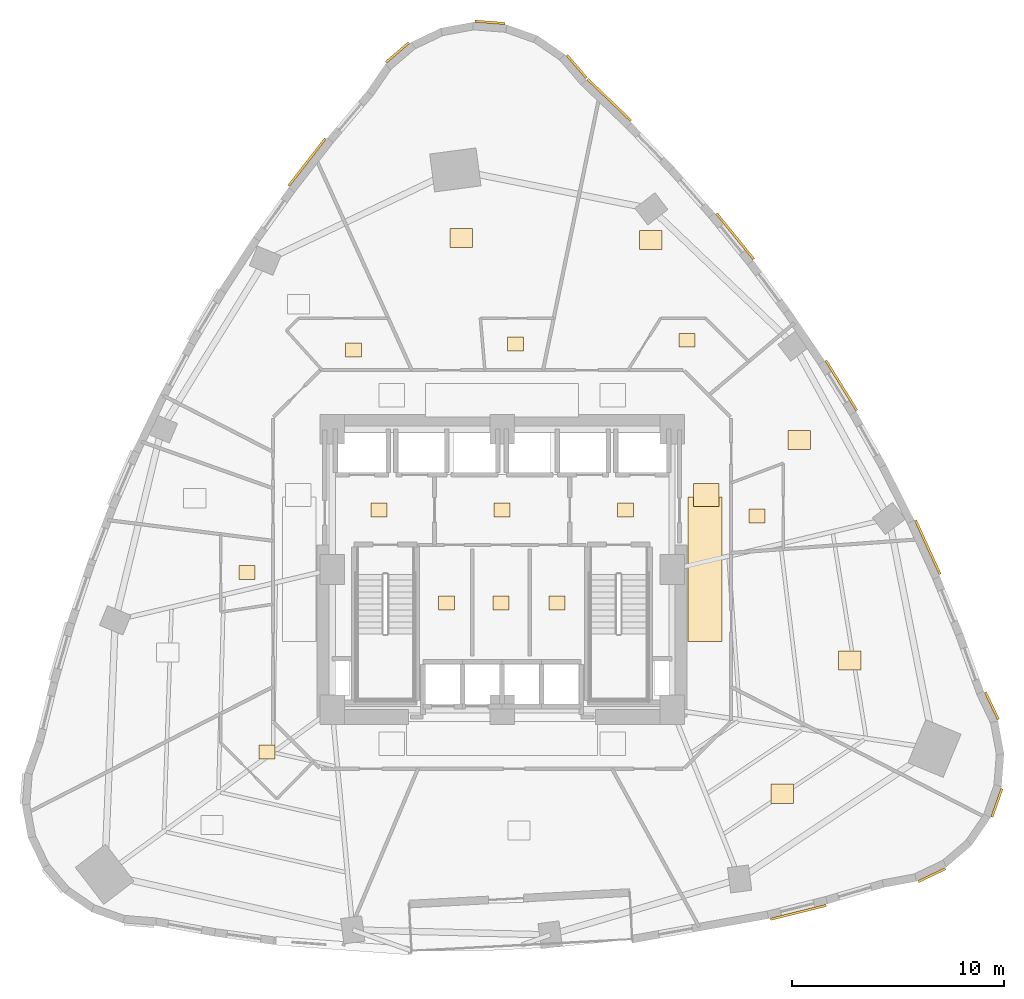
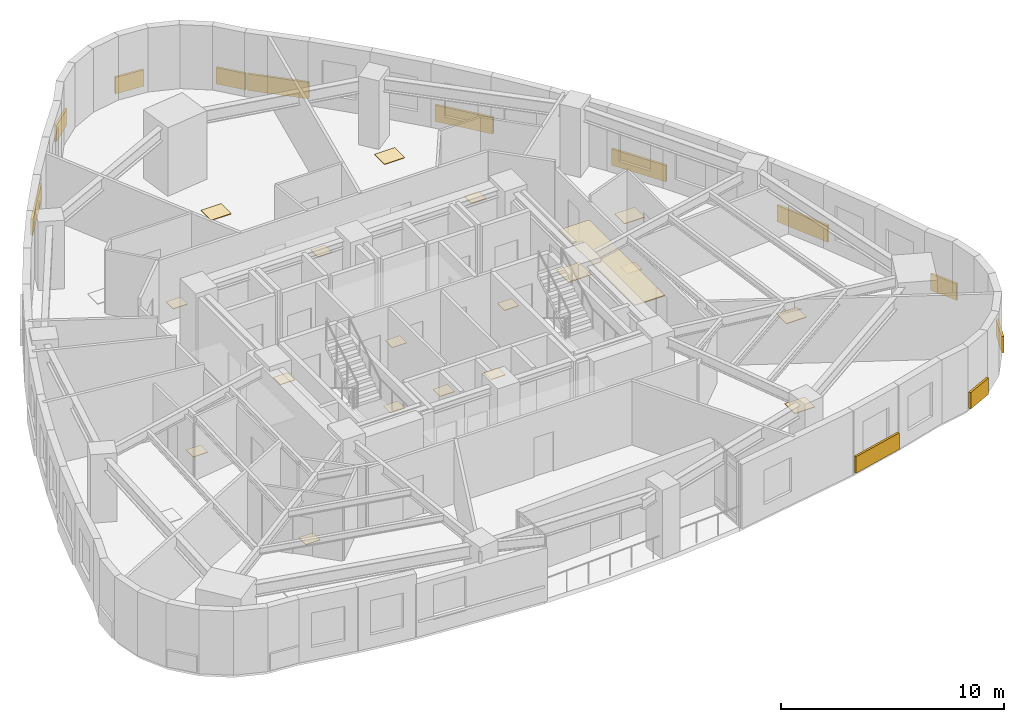
# One storey, part 11 of 11: 31 coverings.
"""IFC4 building model written with IfcOpenShell, lengths in metres."""

from ifc_helpers import new_model, si_unit, direction, frame, origin, origin_2d, place, context, subcontext, project, spatial, rectangle, extrude, material, layer, layer_set, type_object, element, save


model = new_model("IFC4")

# Units and contexts
model_context = context("Model", 3, precision=1e-05, world=origin(), true_north=direction((0.0, 1.0)))
body_context = subcontext(model_context, "Body", "Model", "MODEL_VIEW")
ifc_project = project(units=[si_unit("LENGTHUNIT", "METRE"), si_unit("AREAUNIT", "SQUARE_METRE"), si_unit("VOLUMEUNIT", "CUBIC_METRE"), si_unit("PLANEANGLEUNIT", "RADIAN"), si_unit("MASSUNIT", "GRAM", prefix="KILO")], contexts=[model_context])

# Site, building, storey
site_placement = place(None, origin())
site = spatial("IfcSite", under=ifc_project, at=site_placement, CompositionType="ELEMENT")
building_placement = place(site_placement, origin())
building = spatial("IfcBuilding", under=site, at=building_placement, Name="Ndelora Gate Hotel", CompositionType="ELEMENT")
storey_placement = place(building_placement, frame((0.0, 0.0, 45.5)))
storey = spatial("IfcBuildingStorey", under=building, at=storey_placement, Name="L10", CompositionType="ELEMENT", Elevation=45.5)

# Coverings
ifc_material_1 = material(Name="Perforated Acoustic Gypsum Board", Category="gypsum")
ifc_layer_1 = layer(ifc_material_1, 0.054931640625)
ifc_layer_set_1 = layer_set([ifc_layer_1], Name="Perforated Acoustic Gypsum Board")
covering_type_1 = type_object("IfcCoveringType", Name="COV-CEIL-AC60", PredefinedType="CEILING", material=ifc_layer_set_1)
covering_1_placement = place(storey_placement, frame((9.550048828125, 0.0, 2.65234375), z_axis=(0.0, 0.0, 1.0), x_axis=(1.0, 0.0, 0.0)))
element("IfcCovering", 1, at=covering_1_placement, inside=storey, type_object=covering_type_1, Name="L10 Guest Corridor Acoustic Ceiling E", PredefinedType="CEILING", context=body_context, shape_type="SweptSolid", body=[
    extrude(rectangle(XDim=1.580078125, YDim=6.800048828125, at=origin_2d()), origin(), (0.0, 0.0, 1.0), 0.054931640625),
])
ifc_material_2 = material(Name="Terracotta Fired Clay Brick Slip Cladding", Category="masonry")
ifc_layer_2 = layer(ifc_material_2, 0.110107421875)
ifc_layer_set_2 = layer_set([ifc_layer_2], Name="Terracotta Fired Clay Brick Slip Cladding")
covering_type_2 = type_object("IfcCoveringType", Name="COV-CLAD-BRK", PredefinedType="CLADDING", material=ifc_layer_set_2)
for number, where, z_axis, x_axis, name in (
    (2, (3.513427734375, 23.6669921875, 0.10009765625), (0.0, 0.0, 1.0), (-0.64944804833, 0.7604059656, 0.0), "L10 Rounded-Corner Brick Cladding Band 1"),
    (3, (-0.567138671875, 25.74609375, 0.10009765625), (0.0, 0.0, 1.0), (-0.996917333733, 0.078459095728, 0.0), "L10 Rounded-Corner Brick Cladding Band 4"),
    (4, (-4.9228515625, 24.330810546875, 0.10009765625), (0.0, 0.0, 1.0), (0.7604059656, 0.64944804833, 0.0), "L10 Rounded-Corner Brick Cladding Band 7"),
):
    element("IfcCovering", number, at=place(storey_placement, frame(where, z_axis=z_axis, x_axis=x_axis)), inside=storey, type_object=covering_type_2, Name=name, PredefinedType="CLADDING", context=body_context, shape_type="SweptSolid", body=[
        extrude(rectangle(XDim=1.4140625, YDim=0.110107421875, at=origin_2d()), origin(), (0.0, 0.0, 1.0), 0.89990234375),
    ])
covering_2_placement = place(storey_placement, frame((-9.1796875, 19.166259765625, 0.10009765625), z_axis=(0.0, 0.0, 1.0), x_axis=(0.61414746959, 0.789191285809, 0.0)))
element("IfcCovering", 5, at=covering_2_placement, inside=storey, type_object=covering_type_2, Name="L10 Rounded-Corner Brick Cladding Band 10", PredefinedType="CLADDING", context=body_context, shape_type="SweptSolid", body=[
    extrude(rectangle(XDim=2.81103515625, YDim=0.110107421875, at=origin_2d()), origin(), (0.0, 0.0, 1.0), 0.89990234375),
])
covering_3_placement = place(storey_placement, frame((13.94580078125, -16.140380859375, 0.10009765625), z_axis=(0.0, 0.0, 1.0), x_axis=(0.970168923267, 0.242429908069, 0.0)))
element("IfcCovering", 6, at=covering_3_placement, inside=storey, type_object=covering_type_2, Name="L10 Rounded-Corner Brick Cladding Band 37", PredefinedType="CLADDING", context=body_context, shape_type="SweptSolid", body=[
    extrude(rectangle(XDim=2.696044921875, YDim=0.110107421875, at=origin_2d()), origin(), (0.0, 0.0, 1.0), 0.89990234375),
])
for number, where, z_axis, x_axis, name in (
    (7, (20.22509765625, -14.3935546875, 0.10009765625), (0.0, 0.0, 1.0), (0.90258528435, 0.430511096808, 0.0), "L10 Rounded-Corner Brick Cladding Band 40"),
    (8, (23.28955078125, -10.989990234375, 0.10009765625), (0.0, 0.0, 1.0), (0.333806859234, 0.942641491092, 0.0), "L10 Rounded-Corner Brick Cladding Band 43"),
    (9, (23.0498046875, -6.41650390625, 0.10009765625), (0.0, 0.0, 1.0), (-0.430511096808, 0.90258528435, 0.0), "L10 Rounded-Corner Brick Cladding Band 46"),
):
    element("IfcCovering", number, at=place(storey_placement, frame(where, z_axis=z_axis, x_axis=x_axis)), inside=storey, type_object=covering_type_2, Name=name, PredefinedType="CLADDING", context=body_context, shape_type="SweptSolid", body=[
        extrude(rectangle(XDim=1.4140625, YDim=0.110107421875, at=origin_2d()), origin(), (0.0, 0.0, 1.0), 0.89990234375),
    ])
covering_4_placement = place(storey_placement, frame((20.037353515625, 1.039794921875, 0.10009765625), z_axis=(0.0, 0.0, 1.0), x_axis=(-0.414534418138, 0.910033634641, 0.0)))
element("IfcCovering", 10, at=covering_4_placement, inside=storey, type_object=covering_type_2, Name="L10 Rounded-Corner Brick Cladding Band 49", PredefinedType="CLADDING", context=body_context, shape_type="SweptSolid", body=[
    extrude(rectangle(XDim=2.791015625, YDim=0.110107421875, at=origin_2d()), origin(), (0.0, 0.0, 1.0), 0.89990234375),
])
covering_5_placement = place(storey_placement, frame((15.966796875, 8.65869140625, 0.10009765625), z_axis=(0.0, 0.0, 1.0), x_axis=(-0.526659094883, 0.850076583478, 0.0)))
element("IfcCovering", 11, at=covering_5_placement, inside=storey, type_object=covering_type_2, Name="L10 Rounded-Corner Brick Cladding Band 52", PredefinedType="CLADDING", context=body_context, shape_type="SweptSolid", body=[
    extrude(rectangle(XDim=2.760009765625, YDim=0.110107421875, at=origin_2d()), origin(), (0.0, 0.0, 1.0), 0.89990234375),
])
covering_6_placement = place(storey_placement, frame((10.970703125, 15.676513671875, 0.10009765625), z_axis=(0.0, 0.0, 1.0), x_axis=(-0.630675807431, 0.776046407067, 0.0)))
element("IfcCovering", 12, at=covering_6_placement, inside=storey, type_object=covering_type_2, Name="L10 Rounded-Corner Brick Cladding Band 55", PredefinedType="CLADDING", context=body_context, shape_type="SweptSolid", body=[
    extrude(rectangle(XDim=2.77490234375, YDim=0.110107421875, at=origin_2d()), origin(), (0.0, 0.0, 1.0), 0.89990234375),
])
covering_7_placement = place(storey_placement, frame((5.049560546875, 22.09228515625, 0.10009765625), z_axis=(0.0, 0.0, 1.0), x_axis=(-0.722122534463, 0.691765166238, 0.0)))
element("IfcCovering", 13, at=covering_7_placement, inside=storey, type_object=covering_type_2, Name="L10 Rounded-Corner Brick Cladding Band 58", PredefinedType="CLADDING", context=body_context, shape_type="SweptSolid", body=[
    extrude(rectangle(XDim=2.8369140625, YDim=0.110107421875, at=origin_2d()), origin(), (0.0, 0.0, 1.0), 0.89990234375),
])
ifc_material_3 = material(Name="Engineered Highland Oak Parquet", Category="wood")
ifc_layer_3 = layer(ifc_material_3, 0.030029296875)
ifc_layer_set_3 = layer_set([ifc_layer_3], Name="Engineered Highland Oak Parquet")
covering_type_3 = type_object("IfcCoveringType", Name="COV-FLR-PARQ", PredefinedType="FLOORING", material=ifc_layer_set_3)
for number, where, z_axis, x_axis, name in (
    (14, (13.18310546875, -10.55908203125, 0.0), (0.0, 0.0, 1.0), (1.0, 0.0, 0.0), "L10 Business Study Office Oak Parquet Flooring"),
    (15, (16.368896484375, -4.294677734375, 0.0), (0.0, 0.0, 1.0), (1.0, 0.0, 0.0), "L10 Reading Library Room Oak Parquet Flooring"),
    (16, (13.992431640625, 6.093017578125, 0.0), (0.0, 0.0, 1.0), (1.0, 0.0, 0.0), "L10 Twin Guest Room 1303 Oak Parquet Flooring"),
    (17, (6.994384765625, 15.50390625, 0.0), (0.0, 0.0, 1.0), (1.0, 0.0, 0.0), "L10 Corner Junior Suite 1304 Oak Parquet Flooring"),
    (18, (-1.927490234375, 15.596923828125, 0.0), (0.0, 0.0, 1.0), (1.0, 0.0, 0.0), "L10 Deluxe King Junior Suite 1305 Oak Parquet Flooring"),
):
    element("IfcCovering", number, at=place(storey_placement, frame(where, z_axis=z_axis, x_axis=x_axis)), inside=storey, type_object=covering_type_3, Name=name, PredefinedType="FLOORING", context=body_context, shape_type="SweptSolid", body=[
        extrude(rectangle(XDim=1.050048828125, YDim=0.89990234375, at=origin_2d()), origin(), (0.0, 0.0, 1.0), 0.030029296875),
    ])
ifc_material_4 = material(Name="Polished Highland Stone Terrazzo", Category="masonry")
ifc_layer_4 = layer(ifc_material_4, 0.034912109375)
ifc_layer_set_4 = layer_set([ifc_layer_4], Name="Polished Highland Stone Terrazzo")
covering_type_4 = type_object("IfcCoveringType", Name="COV-FLR-TERZ", PredefinedType="FLOORING", material=ifc_layer_set_4)
covering_8_placement = place(storey_placement, frame((9.60009765625, 3.5, 0.0), z_axis=(0.0, 0.0, 1.0), x_axis=(1.0, 0.0, 0.0)))
element("IfcCovering", 19, at=covering_8_placement, inside=storey, type_object=covering_type_4, Name="L10 Corridor Threshold Terrazzo Inlay E", PredefinedType="FLOORING", context=body_context, shape_type="SweptSolid", body=[
    extrude(rectangle(XDim=1.199951171875, YDim=1.10009765625, at=origin_2d()), origin(), (0.0, 0.0, 1.0), 0.034912109375),
])
ifc_material_5 = material(Name="Non-Slip Porcelain Wet-Room Tile", Category="ceramic")
ifc_layer_5 = layer(ifc_material_5, 0.02490234375)
ifc_layer_set_5 = layer_set([ifc_layer_5], Name="Non-Slip Porcelain Wet-Room Tile")
covering_type_5 = type_object("IfcCoveringType", Name="COV-FLR-TILE", PredefinedType="FLOORING", material=ifc_layer_set_5)
for number, where, z_axis, x_axis, name in (
    (20, (-5.800048828125, 2.800048828125, 0.0), (0.0, 0.0, 1.0), (1.0, 0.0, 0.0), "L10 Firefighting Lift Lobby West Porcelain Tile Flooring"),
    (21, (5.800048828125, 2.800048828125, 0.0), (0.0, 0.0, 1.0), (1.0, 0.0, 0.0), "L10 Firefighting Lift Lobby East Porcelain Tile Flooring"),
    (22, (0.0, 2.800048828125, 0.0), (0.0, 0.0, 1.0), (1.0, 0.0, 0.0), "L10 Central Passenger Lift Lobby Porcelain Tile Flooring"),
    (23, (-2.625, -1.574951171875, 0.0), (0.0, 0.0, 1.0), (1.0, 0.0, 0.0), "L10 Core Cleaners Store Porcelain Tile Flooring"),
    (24, (-0.050048828125, -1.574951171875, 0.0), (0.0, 0.0, 1.0), (1.0, 0.0, 0.0), "L10 Core Telecoms Equipment Room Porcelain Tile Flooring"),
    (25, (2.574951171875, -1.574951171875, 0.0), (0.0, 0.0, 1.0), (1.0, 0.0, 0.0), "L10 Core Electrical Metering Room Porcelain Tile Flooring"),
    (26, (-12.0048828125, -0.14599609375, 0.0), (0.0, 0.0, 1.0), (1.0, 0.0, 0.0), "L10 En-suite Bathroom 1301 Porcelain Tile Flooring"),
    (27, (-11.063232421875, -8.59912109375, 0.0), (0.0, 0.0, 1.0), (1.0, 0.0, 0.0), "L10 En-suite Bathroom 1302 Porcelain Tile Flooring"),
    (28, (12.0048828125, 2.51708984375, 0.0), (0.0, 0.0, 1.0), (1.0, 0.0, 0.0), "L10 En-suite Bathroom 1303 Porcelain Tile Flooring"),
    (29, (8.7060546875, 10.788818359375, 0.0), (0.0, 0.0, 1.0), (1.0, 0.0, 0.0), "L10 En-suite Bathroom 1304 Porcelain Tile Flooring"),
    (30, (0.6328125, 10.60498046875, 0.0), (0.0, 0.0, 1.0), (1.0, 0.0, 0.0), "L10 En-suite Bathroom 1305 Porcelain Tile Flooring"),
    (31, (-6.99853515625, 10.33154296875, 0.0), (0.0, 0.0, 1.0), (1.0, 0.0, 0.0), "L10 En-suite Bathroom 1306 Porcelain Tile Flooring"),
):
    element("IfcCovering", number, at=place(storey_placement, frame(where, z_axis=z_axis, x_axis=x_axis)), inside=storey, type_object=covering_type_5, Name=name, PredefinedType="FLOORING", context=body_context, shape_type="SweptSolid", body=[
        extrude(rectangle(XDim=0.75, YDim=0.64990234375, at=origin_2d()), origin(), (0.0, 0.0, 1.0), 0.02490234375),
    ])

save(model, "model.ifc")
